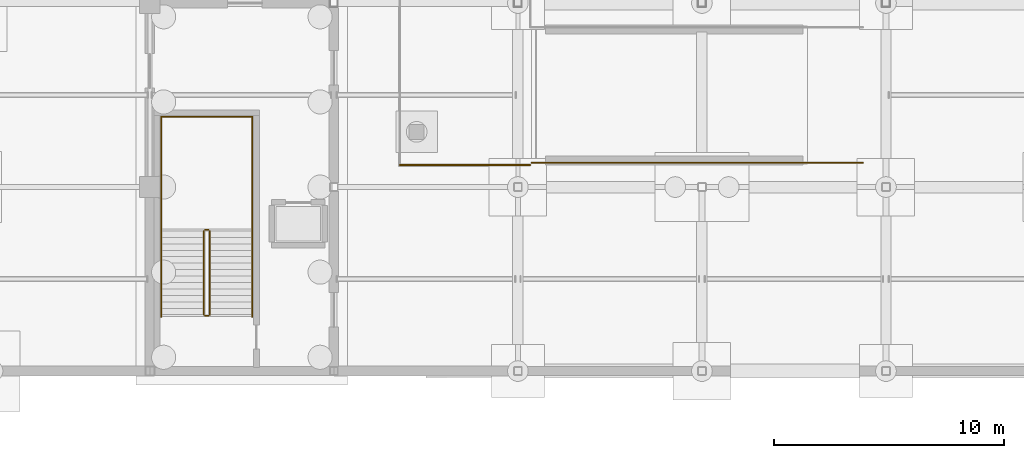
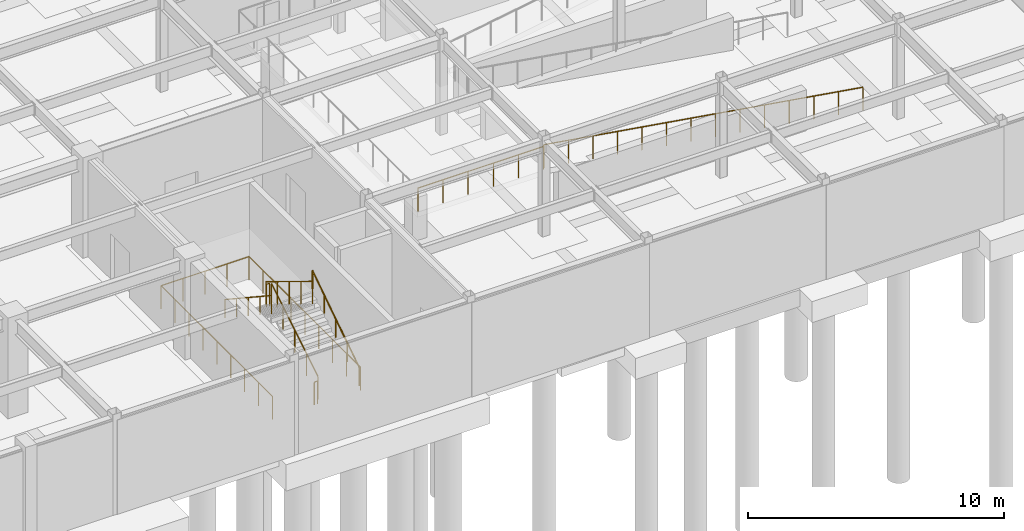
# One storey, part 102 of 105: 11 railings.
"""IFC4 building model written with IfcOpenShell, lengths in metres."""

from ifc_helpers import new_model, si_unit, direction, frame, origin, origin_2d, place, context, subcontext, project, spatial, circle, extrude, material, type_object, element, save


model = new_model("IFC4")

# Units and contexts
model_context = context("Model", 3, precision=1e-05, world=origin(), true_north=direction((0.0, 1.0)))
body_context = subcontext(model_context, "Body", "Model", "MODEL_VIEW")
ifc_project = project(units=[si_unit("LENGTHUNIT", "METRE"), si_unit("AREAUNIT", "SQUARE_METRE"), si_unit("VOLUMEUNIT", "CUBIC_METRE"), si_unit("PLANEANGLEUNIT", "RADIAN"), si_unit("MASSUNIT", "GRAM", prefix="KILO")], contexts=[model_context])

# Site, building, storey
site_placement = place(None, origin())
site = spatial("IfcSite", under=ifc_project, at=site_placement, CompositionType="ELEMENT")
building_placement = place(site_placement, origin())
building = spatial("IfcBuilding", under=site, at=building_placement, Name="Solmirada Galleria", CompositionType="ELEMENT")
storey_placement = place(building_placement, frame((0.0, 0.0, -4.800048828125)))
storey = spatial("IfcBuildingStorey", under=building, at=storey_placement, Name="B1", CompositionType="ELEMENT", Elevation=-4.800048828125)

# Railings
ifc_material = material(Name="Painted steel tubular railing", Category="steel")
railing_type_1 = type_object("IfcRailingType", Name="RAIL-STAIR-GUARD", PredefinedType="GUARDRAIL", material=ifc_material)
railing_1_placement = place(storey_placement, frame((138.60009765625, 2.449951171875, 0.17138671875)))
element("IfcRailing", 1, at=railing_1_placement, inside=storey, type_object=railing_type_1, Name="B1 ST6 stair guard 1", PredefinedType="GUARDRAIL", context=body_context, shape_type="SweptSolid", body=[
    extrude(circle(Radius=0.02392578125, at=origin_2d()), frame((0.0, 0.0, 1.076171875), z_axis=(0.0, 0.852840387347, 0.522171689878), x_axis=(-1.0, 0.0, 0.0)), (0.0, 0.0, 1.0), 4.268310546875),
    extrude(circle(Radius=0.02099609375, at=origin_2d()), origin(), (0.0, 0.0, 1.0), 1.048095703125),
    extrude(circle(Radius=0.02099609375, at=origin_2d()), frame((0.0, 0.91015625, 0.55712890625)), (0.0, 0.0, 1.0), 1.048095703125),
    extrude(circle(Radius=0.02099609375, at=origin_2d()), frame((0.0, 1.820068359375, 1.1142578125)), (0.0, 0.0, 1.0), 1.048095703125),
    extrude(circle(Radius=0.02099609375, at=origin_2d()), frame((0.0, 2.72998046875, 1.671630859375)), (0.0, 0.0, 1.0), 1.048095703125),
    extrude(circle(Radius=0.02099609375, at=origin_2d()), frame((0.0, 3.64013671875, 2.228759765625)), (0.0, 0.0, 1.0), 1.048095703125),
])
railing_2_placement = place(storey_placement, frame((138.550048828125, 6.139892578125, 2.400146484375)))
element("IfcRailing", 2, at=railing_2_placement, inside=storey, type_object=railing_type_1, Name="B1 ST6 stair guard 2", PredefinedType="GUARDRAIL", context=body_context, shape_type="SweptSolid", body=[
    extrude(circle(Radius=0.02392578125, at=origin_2d()), frame((0.0, 0.0, 1.076171875), z_axis=(-1.0, 0.0, 0.0), x_axis=(0.0, -1.0, 0.0)), (0.0, 0.0, 1.0), 0.150146484375),
    extrude(circle(Radius=0.02099609375, at=origin_2d()), origin(), (0.0, 0.0, 1.0), 1.048095703125),
    extrude(circle(Radius=0.02099609375, at=origin_2d()), frame((-0.150146484375, 0.0, 0.0)), (0.0, 0.0, 1.0), 1.048095703125),
])
railing_3_placement = place(storey_placement, frame((138.35009765625, 6.090087890625, 2.571533203125)))
element("IfcRailing", 3, at=railing_3_placement, inside=storey, type_object=railing_type_1, Name="B1 ST6 stair guard 3", PredefinedType="GUARDRAIL", context=body_context, shape_type="SweptSolid", body=[
    extrude(circle(Radius=0.02392578125, at=origin_2d()), frame((0.0, 0.0, 1.076171875), z_axis=(0.0, -0.852865859571, 0.52213008492), x_axis=(1.0, 0.0, 0.0)), (0.0, 0.0, 1.0), 4.26806640625),
    extrude(circle(Radius=0.02099609375, at=origin_2d()), origin(), (0.0, 0.0, 1.0), 1.048095703125),
    extrude(circle(Radius=0.02099609375, at=origin_2d()), frame((0.0, -0.91015625, 0.55712890625)), (0.0, 0.0, 1.0), 1.048095703125),
    extrude(circle(Radius=0.02099609375, at=origin_2d()), frame((0.0, -1.820068359375, 1.1142578125)), (0.0, 0.0, 1.0), 1.048095703125),
    extrude(circle(Radius=0.02099609375, at=origin_2d()), frame((0.0, -2.72998046875, 1.67138671875)), (0.0, 0.0, 1.0), 1.048095703125),
    extrude(circle(Radius=0.02099609375, at=origin_2d()), frame((0.0, -3.64013671875, 2.228515625)), (0.0, 0.0, 1.0), 1.048095703125),
])
railing_4_placement = place(storey_placement, frame((138.550048828125, 2.39990234375, 0.0)))
element("IfcRailing", 4, at=railing_4_placement, inside=storey, type_object=railing_type_1, Name="B1 ST6 stair guard 4", PredefinedType="GUARDRAIL", context=body_context, shape_type="SweptSolid", body=[
    extrude(circle(Radius=0.02392578125, at=origin_2d()), frame((0.0, 0.0, 1.076171875), z_axis=(-1.0, 0.0, 0.0), x_axis=(0.0, -1.0, 0.0)), (0.0, 0.0, 1.0), 0.150146484375),
    extrude(circle(Radius=0.02099609375, at=origin_2d()), origin(), (0.0, 0.0, 1.0), 1.048095703125),
    extrude(circle(Radius=0.02099609375, at=origin_2d()), frame((-0.150146484375, 0.0, 0.0)), (0.0, 0.0, 1.0), 1.048095703125),
])
railing_5_placement = place(storey_placement, frame((136.489990234375, 2.35009765625, 0.0)))
element("IfcRailing", 5, at=railing_5_placement, inside=storey, type_object=railing_type_1, Name="Stair ST6 well edge guard B1-1", PredefinedType="GUARDRAIL", context=body_context, shape_type="SweptSolid", body=[
    extrude(circle(Radius=0.02392578125, at=origin_2d()), frame((0.0, 0.0, 1.09619140625), z_axis=(0.0, 1.0, 0.0), x_axis=(-1.0, 0.0, 0.0)), (0.0, 0.0, 1.0), 8.7099609375),
    extrude(circle(Radius=0.02099609375, at=origin_2d()), origin(), (0.0, 0.0, 1.0), 1.068115234375),
    extrude(circle(Radius=0.02099609375, at=origin_2d()), frame((0.0, 1.0888671875, 0.0)), (0.0, 0.0, 1.0), 1.068115234375),
    extrude(circle(Radius=0.02099609375, at=origin_2d()), frame((0.0, 2.177490234375, 0.0)), (0.0, 0.0, 1.0), 1.068115234375),
    extrude(circle(Radius=0.02099609375, at=origin_2d()), frame((0.0, 3.26611328125, 0.0)), (0.0, 0.0, 1.0), 1.068115234375),
    extrude(circle(Radius=0.02099609375, at=origin_2d()), frame((0.0, 4.35498046875, 0.0)), (0.0, 0.0, 1.0), 1.068115234375),
    extrude(circle(Radius=0.02099609375, at=origin_2d()), frame((0.0, 5.44384765625, 0.0)), (0.0, 0.0, 1.0), 1.068115234375),
    extrude(circle(Radius=0.02099609375, at=origin_2d()), frame((0.0, 6.532470703125, 0.0)), (0.0, 0.0, 1.0), 1.068115234375),
    extrude(circle(Radius=0.02099609375, at=origin_2d()), frame((0.0, 7.62109375, 0.0)), (0.0, 0.0, 1.0), 1.068115234375),
    extrude(circle(Radius=0.02099609375, at=origin_2d()), frame((0.0, 8.7099609375, 0.0)), (0.0, 0.0, 1.0), 1.068115234375),
])
railing_6_placement = place(storey_placement, frame((136.489990234375, 11.06005859375, 0.0)))
element("IfcRailing", 6, at=railing_6_placement, inside=storey, type_object=railing_type_1, Name="Stair ST6 well edge guard B1-2", PredefinedType="GUARDRAIL", context=body_context, shape_type="SweptSolid", body=[
    extrude(circle(Radius=0.02392578125, at=origin_2d()), frame((0.0, 0.0, 1.09619140625), z_axis=(1.0, 0.0, 0.0), x_axis=(0.0, 1.0, 0.0)), (0.0, 0.0, 1.0), 3.969970703125),
    extrude(circle(Radius=0.02099609375, at=origin_2d()), origin(), (0.0, 0.0, 1.0), 1.068115234375),
    extrude(circle(Radius=0.02099609375, at=origin_2d()), frame((0.992431640625, 0.0, 0.0)), (0.0, 0.0, 1.0), 1.068115234375),
    extrude(circle(Radius=0.02099609375, at=origin_2d()), frame((1.98486328125, 0.0, 0.0)), (0.0, 0.0, 1.0), 1.068115234375),
    extrude(circle(Radius=0.02099609375, at=origin_2d()), frame((2.9775390625, 0.0, 0.0)), (0.0, 0.0, 1.0), 1.068115234375),
    extrude(circle(Radius=0.02099609375, at=origin_2d()), frame((3.969970703125, 0.0, 0.0)), (0.0, 0.0, 1.0), 1.068115234375),
])
railing_7_placement = place(storey_placement, frame((140.4599609375, 11.06005859375, 0.0)))
element("IfcRailing", 7, at=railing_7_placement, inside=storey, type_object=railing_type_1, Name="Stair ST6 well edge guard B1-3", PredefinedType="GUARDRAIL", context=body_context, shape_type="SweptSolid", body=[
    extrude(circle(Radius=0.02392578125, at=origin_2d()), frame((0.0, 0.0, 1.09619140625), z_axis=(0.0, -1.0, 0.0), x_axis=(1.0, 0.0, 0.0)), (0.0, 0.0, 1.0), 8.7099609375),
    extrude(circle(Radius=0.02099609375, at=origin_2d()), origin(), (0.0, 0.0, 1.0), 1.068115234375),
    extrude(circle(Radius=0.02099609375, at=origin_2d()), frame((0.0, -1.0888671875, 0.0)), (0.0, 0.0, 1.0), 1.068115234375),
    extrude(circle(Radius=0.02099609375, at=origin_2d()), frame((0.0, -2.177490234375, 0.0)), (0.0, 0.0, 1.0), 1.068115234375),
    extrude(circle(Radius=0.02099609375, at=origin_2d()), frame((0.0, -3.26611328125, 0.0)), (0.0, 0.0, 1.0), 1.068115234375),
    extrude(circle(Radius=0.02099609375, at=origin_2d()), frame((0.0, -4.35498046875, 0.0)), (0.0, 0.0, 1.0), 1.068115234375),
    extrude(circle(Radius=0.02099609375, at=origin_2d()), frame((0.0, -5.44384765625, 0.0)), (0.0, 0.0, 1.0), 1.068115234375),
    extrude(circle(Radius=0.02099609375, at=origin_2d()), frame((0.0, -6.532470703125, 0.0)), (0.0, 0.0, 1.0), 1.068115234375),
    extrude(circle(Radius=0.02099609375, at=origin_2d()), frame((0.0, -7.62109375, 0.0)), (0.0, 0.0, 1.0), 1.068115234375),
    extrude(circle(Radius=0.02099609375, at=origin_2d()), frame((0.0, -8.7099609375, 0.0)), (0.0, 0.0, 1.0), 1.068115234375),
])
railing_8_placement = place(storey_placement, frame((167.0, 9.06005859375, 0.0)))
element("IfcRailing", 8, at=railing_8_placement, inside=storey, type_object=railing_type_1, Name="Vehicle ramp safety guardrail B1-1", PredefinedType="GUARDRAIL", context=body_context, shape_type="SweptSolid", body=[
    extrude(circle(Radius=0.02392578125, at=origin_2d()), frame((0.0, 0.0, 1.09619140625), z_axis=(-0.987482700238, 0.0, 0.157727349343), x_axis=(0.0, -1.0, 0.0)), (0.0, 0.0, 1.0), 14.58251953125),
    extrude(circle(Radius=0.02099609375, at=origin_2d()), origin(), (0.0, 0.0, 1.0), 1.068115234375),
    extrude(circle(Radius=0.02099609375, at=origin_2d()), frame((-1.107666015625, 0.0, 0.177001953125)), (0.0, 0.0, 1.0), 1.068115234375),
    extrude(circle(Radius=0.02099609375, at=origin_2d()), frame((-2.21533203125, 0.0, 0.353759765625)), (0.0, 0.0, 1.0), 1.068115234375),
    extrude(circle(Radius=0.02099609375, at=origin_2d()), frame((-3.322998046875, 0.0, 0.53076171875)), (0.0, 0.0, 1.0), 1.068115234375),
    extrude(circle(Radius=0.02099609375, at=origin_2d()), frame((-4.4306640625, 0.0, 0.707763671875)), (0.0, 0.0, 1.0), 1.068115234375),
    extrude(circle(Radius=0.02099609375, at=origin_2d()), frame((-5.538330078125, 0.0, 0.884521484375)), (0.0, 0.0, 1.0), 1.068115234375),
    extrude(circle(Radius=0.02099609375, at=origin_2d()), frame((-6.64599609375, 0.0, 1.0615234375)), (0.0, 0.0, 1.0), 1.068115234375),
    extrude(circle(Radius=0.02099609375, at=origin_2d()), frame((-7.75390625, 0.0, 1.238525390625)), (0.0, 0.0, 1.0), 1.068115234375),
    extrude(circle(Radius=0.02099609375, at=origin_2d()), frame((-8.861572265625, 0.0, 1.41552734375)), (0.0, 0.0, 1.0), 1.068115234375),
    extrude(circle(Radius=0.02099609375, at=origin_2d()), frame((-9.96923828125, 0.0, 1.59228515625)), (0.0, 0.0, 1.0), 1.068115234375),
    extrude(circle(Radius=0.02099609375, at=origin_2d()), frame((-11.076904296875, 0.0, 1.769287109375)), (0.0, 0.0, 1.0), 1.068115234375),
    extrude(circle(Radius=0.02099609375, at=origin_2d()), frame((-12.1845703125, 0.0, 1.9462890625)), (0.0, 0.0, 1.0), 1.068115234375),
    extrude(circle(Radius=0.02099609375, at=origin_2d()), frame((-13.292236328125, 0.0, 2.123046875)), (0.0, 0.0, 1.0), 1.068115234375),
    extrude(circle(Radius=0.02099609375, at=origin_2d()), frame((-14.39990234375, 0.0, 2.300048828125)), (0.0, 0.0, 1.0), 1.068115234375),
])
railing_9_placement = place(storey_placement, frame((152.5400390625, 8.9599609375, 2.300048828125)))
element("IfcRailing", 9, at=railing_9_placement, inside=storey, type_object=railing_type_1, Name="Vehicle ramp safety guardrail B1-5", PredefinedType="GUARDRAIL", context=body_context, shape_type="SweptSolid", body=[
    extrude(circle(Radius=0.02392578125, at=origin_2d()), frame((0.0, 0.0, 1.09619140625), z_axis=(-1.0, 0.0, 0.0), x_axis=(0.0, -1.0, 0.0)), (0.0, 0.0, 1.0), 5.679931640625),
    extrude(circle(Radius=0.02099609375, at=origin_2d()), origin(), (0.0, 0.0, 1.0), 1.068115234375),
    extrude(circle(Radius=0.02099609375, at=origin_2d()), frame((-1.135986328125, 0.0, 0.0)), (0.0, 0.0, 1.0), 1.068115234375),
    extrude(circle(Radius=0.02099609375, at=origin_2d()), frame((-2.27197265625, 0.0, 0.0)), (0.0, 0.0, 1.0), 1.068115234375),
    extrude(circle(Radius=0.02099609375, at=origin_2d()), frame((-3.407958984375, 0.0, 0.0)), (0.0, 0.0, 1.0), 1.068115234375),
    extrude(circle(Radius=0.02099609375, at=origin_2d()), frame((-4.5439453125, 0.0, 0.0)), (0.0, 0.0, 1.0), 1.068115234375),
    extrude(circle(Radius=0.02099609375, at=origin_2d()), frame((-5.679931640625, 0.0, 0.0)), (0.0, 0.0, 1.0), 1.068115234375),
])
railing_type_2 = type_object("IfcRailingType", Name="RAIL-STAIR-HAND", PredefinedType="HANDRAIL", material=ifc_material)
railing_10_placement = place(storey_placement, frame((140.449951171875, 2.449951171875, 0.17138671875)))
element("IfcRailing", 10, at=railing_10_placement, inside=storey, type_object=railing_type_2, Name="B1 ST6 stair handrail 1", PredefinedType="HANDRAIL", context=body_context, shape_type="SweptSolid", body=[
    extrude(circle(Radius=0.02392578125, at=origin_2d()), frame((0.0, 0.0, 0.8759765625), z_axis=(0.0, 0.834856447115, 0.55046772177), x_axis=(-1.0, 0.0, 0.0)), (0.0, 0.0, 1.0), 4.360107421875),
    extrude(circle(Radius=0.02099609375, at=origin_2d()), origin(), (0.0, 0.0, 1.0), 0.847900390625),
    extrude(circle(Radius=0.02099609375, at=origin_2d()), frame((0.0, 0.91015625, 0.60009765625)), (0.0, 0.0, 1.0), 0.847900390625),
    extrude(circle(Radius=0.02099609375, at=origin_2d()), frame((0.0, 1.820068359375, 1.2001953125)), (0.0, 0.0, 1.0), 0.847900390625),
    extrude(circle(Radius=0.02099609375, at=origin_2d()), frame((0.0, 2.72998046875, 1.800048828125)), (0.0, 0.0, 1.0), 0.847900390625),
    extrude(circle(Radius=0.02099609375, at=origin_2d()), frame((0.0, 3.64013671875, 2.400146484375)), (0.0, 0.0, 1.0), 0.847900390625),
])
railing_11_placement = place(storey_placement, frame((136.5, 6.090087890625, 2.571533203125)))
element("IfcRailing", 11, at=railing_11_placement, inside=storey, type_object=railing_type_2, Name="B1 ST6 stair handrail 2", PredefinedType="HANDRAIL", context=body_context, shape_type="SweptSolid", body=[
    extrude(circle(Radius=0.02392578125, at=origin_2d()), frame((0.0, 0.0, 0.8759765625), z_axis=(0.0, -0.83488217925, 0.55042869363), x_axis=(1.0, 0.0, 0.0)), (0.0, 0.0, 1.0), 4.360107421875),
    extrude(circle(Radius=0.02099609375, at=origin_2d()), origin(), (0.0, 0.0, 1.0), 0.847900390625),
    extrude(circle(Radius=0.02099609375, at=origin_2d()), frame((0.0, -0.91015625, 0.60009765625)), (0.0, 0.0, 1.0), 0.847900390625),
    extrude(circle(Radius=0.02099609375, at=origin_2d()), frame((0.0, -1.820068359375, 1.199951171875)), (0.0, 0.0, 1.0), 0.847900390625),
    extrude(circle(Radius=0.02099609375, at=origin_2d()), frame((0.0, -2.72998046875, 1.7998046875)), (0.0, 0.0, 1.0), 0.847900390625),
    extrude(circle(Radius=0.02099609375, at=origin_2d()), frame((0.0, -3.64013671875, 2.39990234375)), (0.0, 0.0, 1.0), 0.847900390625),
])

save(model, "model.ifc")
